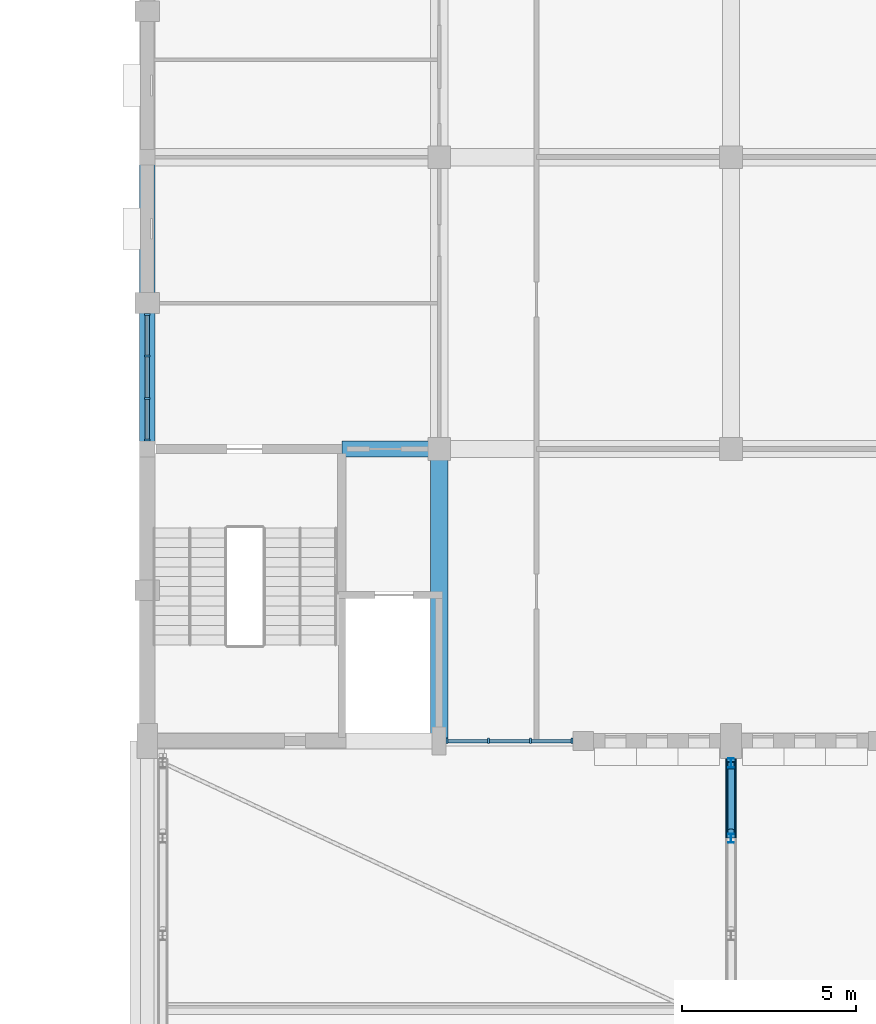
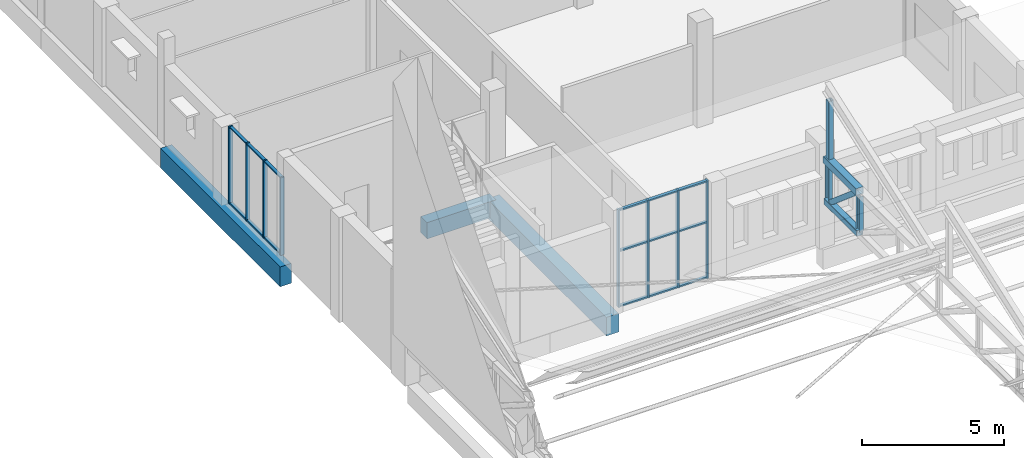
# One storey, part 18 of 101: 29 members, 3 beams, 2 elements without a shape of their own.
"""IFC4 building model written with IfcOpenShell, lengths in metres."""

from ifc_helpers import new_model, si_unit, direction, frame, origin, origin_2d, place, context, subcontext, project, spatial, rectangle, hollow_rectangle, hollow_circle, i_section, extrude, material, material_profile, profile_set, type_object, element, aggregate, save


model = new_model("IFC4")

# Units and contexts
model_context = context("Model", 3, precision=1e-05, world=origin(), true_north=direction((0.0, 1.0)))
body_context = subcontext(model_context, "Body", "Model", "MODEL_VIEW")
ifc_project = project(units=[si_unit("LENGTHUNIT", "METRE"), si_unit("AREAUNIT", "SQUARE_METRE"), si_unit("VOLUMEUNIT", "CUBIC_METRE"), si_unit("PLANEANGLEUNIT", "RADIAN"), si_unit("MASSUNIT", "GRAM", prefix="KILO")], contexts=[model_context])

# Site, building, storey
site_placement = place(None, origin())
site = spatial("IfcSite", under=ifc_project, at=site_placement, CompositionType="ELEMENT")
building_placement = place(site_placement, origin())
building = spatial("IfcBuilding", under=site, at=building_placement, Name="Fescue Hill Polytechnic", CompositionType="ELEMENT")
storey_placement = place(building_placement, frame((0.0, 0.0, 9.0)))
storey = spatial("IfcBuildingStorey", under=building, at=storey_placement, Name="L02", CompositionType="ELEMENT", Elevation=9.0)

# Beams
ifc_material_1 = material(Name="Concrete 35 MPa", Category="concrete")
ifc_material_profile_1 = material_profile(ifc_material_1, rectangle(XDim=0.449951171875, YDim=0.699951171875, at=origin_2d()), Name="RC 450x700")
ifc_profile_set_1 = profile_set([ifc_material_profile_1], Name="Concrete 35 MPa")
beam_type_1 = type_object("IfcBeamType", Name="Beam RC 450x700", PredefinedType="BEAM", material=ifc_profile_set_1)
beam_1_placement = place(storey_placement, frame((5.60009765625, 58.800048828125, -0.64990234375), z_axis=(1.0, 0.0, 0.0), x_axis=(0.0, 1.0, 0.0)))
element("IfcBeam", 1, at=beam_1_placement, inside=storey, type_object=beam_type_1, Name="BM-L02-0013", PredefinedType="BEAM", context=body_context, shape_type="SweptSolid", body=[
    extrude(rectangle(XDim=0.449951171875, YDim=0.699951171875, at=origin_2d()), origin(), (0.0, 0.0, 1.0), 2.789794921875),
])
ifc_material_profile_2 = material_profile(ifc_material_1, rectangle(XDim=0.449951171875, YDim=0.85009765625, at=origin_2d()), Name="RC 450x850")
ifc_profile_set_2 = profile_set([ifc_material_profile_2], Name="Concrete 35 MPa")
beam_type_2 = type_object("IfcBeamType", Name="Beam RC 450x850", PredefinedType="BEAM", material=ifc_profile_set_2)
beam_2_placement = place(storey_placement, frame((0.0, 58.800048828125, -0.72509765625), z_axis=(0.0, 1.0, 0.0), x_axis=(-1.0, 0.0, 0.0)))
element("IfcBeam", 2, at=beam_2_placement, inside=storey, type_object=beam_type_2, Name="BM-L02-0002", PredefinedType="BEAM", context=body_context, shape_type="SweptSolid", body=[
    extrude(rectangle(XDim=0.449951171875, YDim=0.85009765625, at=origin_2d()), origin(), (0.0, 0.0, 1.0), 8.39990234375),
])
ifc_material_profile_3 = material_profile(ifc_material_1, rectangle(XDim=0.5, YDim=0.800048828125, at=origin_2d()), Name="RC 500x800")
ifc_profile_set_3 = profile_set([ifc_material_profile_3], Name="Concrete 35 MPa")
beam_type_3 = type_object("IfcBeamType", Name="Beam RC 500x800", PredefinedType="BEAM", material=ifc_profile_set_3)
beam_3_placement = place(storey_placement, frame((8.39990234375, 50.39990234375, -0.699951171875), z_axis=(0.0, 1.0, 0.0), x_axis=(-1.0, 0.0, 0.0)))
element("IfcBeam", 3, at=beam_3_placement, inside=storey, type_object=beam_type_3, Name="BM-L02-0017", PredefinedType="BEAM", context=body_context, shape_type="SweptSolid", body=[
    extrude(rectangle(XDim=0.5, YDim=0.800048828125, at=origin_2d()), origin(), (0.0, 0.0, 1.0), 8.400146484375),
])

# Members
ifc_material_2 = material(Name="Steel 350W (350 MPa)", Category="steel")
ifc_material_profile_4 = material_profile(ifc_material_2, hollow_rectangle(XDim=0.25390625, YDim=0.25390625, WallThickness=0.0126953125, InnerFilletRadius=0.0126953125, OuterFilletRadius=0.025390625, at=origin_2d()), Name="Hall truss bottom chord HSS 254x254x13")
ifc_profile_set_4 = profile_set([ifc_material_profile_4], Name="Steel 350W (350 MPa)")
member_type_1 = type_object("IfcMemberType", Name="Hall truss bottom chord HSS 254x254x13", PredefinedType="CHORD", material=ifc_profile_set_4)
member_1_placement = place(storey_placement, frame((16.800048828125, 47.60009765625, 2.0), z_axis=(0.0, 1.0, 0.0), x_axis=(-1.0, 0.0, 0.0)))
element("IfcMember", 4, at=member_1_placement, inside=storey, type_object=member_type_1, Name="Truss TR2 bottom chord 12", PredefinedType="CHORD", context=body_context, shape_type="SweptSolid", body=[
    extrude(hollow_rectangle(XDim=0.25390625, YDim=0.25390625, WallThickness=0.0126953125, InnerFilletRadius=0.0126953125, OuterFilletRadius=0.025390625, at=origin_2d()), origin(), (0.0, 0.0, 1.0), 2.2998046875),
])
ifc_material_profile_5 = material_profile(ifc_material_2, hollow_circle(Radius=0.109619140625, WallThickness=0.009521484375, at=origin_2d()), Name="Hall truss diagonal CHS 219x9.5")
ifc_profile_set_5 = profile_set([ifc_material_profile_5], Name="Steel 350W (350 MPa)")
member_type_2 = type_object("IfcMemberType", Name="Hall truss diagonal CHS 219x9.5", PredefinedType="BRACE", material=ifc_profile_set_5)
member_2_placement = place(storey_placement, frame((16.800048828125, 47.800048828125, 3.631103515625), z_axis=(0.0, 0.761443253909, -0.648231572107), x_axis=(-1.0, 0.0, 0.0)))
element("IfcMember", 5, at=member_2_placement, inside=storey, type_object=member_type_2, Name="Truss TR2 diagonal 12", PredefinedType="BRACE", context=body_context, shape_type="SweptSolid", body=[
    extrude(hollow_circle(Radius=0.109619140625, WallThickness=0.009521484375, at=origin_2d()), origin(), (0.0, 0.0, 1.0), 2.3203125),
])
ifc_material_profile_6 = material_profile(ifc_material_2, i_section(OverallWidth=0.14794921875, OverallDepth=0.26611328125, WebThickness=0.007568359375, FlangeThickness=0.012939453125, FilletRadius=0.013916015625, at=origin_2d()), Name="W250x45")
ifc_profile_set_6 = profile_set([ifc_material_profile_6], Name="Steel 350W (350 MPa)")
member_type_3 = type_object("IfcMemberType", Name="Hall truss post W250x45", PredefinedType="POST", material=ifc_profile_set_6)
for number, where, z_axis, x_axis, name in (
    (6, (16.800048828125, 47.60009765625, 2.126953125), (0.0, 0.0, 1.0), (1.0, 0.0, 0.0), "Truss TR2 post 12"),
    (7, (16.800048828125, 49.76708984375, 2.126953125), (0.0, 0.0, 1.0), (1.0, 0.0, 0.0), "Truss TR2 post 13"),
):
    element("IfcMember", number, at=place(storey_placement, frame(where, z_axis=z_axis, x_axis=x_axis)), inside=storey, type_object=member_type_3, Name=name, PredefinedType="POST", context=body_context, shape_type="SweptSolid", body=[
        extrude(i_section(OverallWidth=0.14794921875, OverallDepth=0.26611328125, WebThickness=0.007568359375, FlangeThickness=0.012939453125, FilletRadius=0.013916015625, at=origin_2d()), origin(), (0.0, 0.0, 1.0), 1.504150390625),
    ])
ifc_material_profile_7 = material_profile(ifc_material_2, hollow_rectangle(XDim=0.3046875, YDim=0.3046875, WallThickness=0.0126953125, InnerFilletRadius=0.0126953125, OuterFilletRadius=0.025390625, at=origin_2d()), Name="Hall truss top chord HSS 305x305x13")
ifc_profile_set_7 = profile_set([ifc_material_profile_7], Name="Steel 350W (350 MPa)")
member_type_4 = type_object("IfcMemberType", Name="Hall truss top chord HSS 305x305x13", PredefinedType="CHORD", material=ifc_profile_set_7)
member_3_placement = place(storey_placement, frame((16.800048828125, 47.60009765625, 3.783447265625), z_axis=(0.0, 1.0, 0.0), x_axis=(-1.0, 0.0, 0.0)))
element("IfcMember", 8, at=member_3_placement, inside=storey, type_object=member_type_4, Name="Truss TR2 top chord 12", PredefinedType="CHORD", context=body_context, shape_type="SweptSolid", body=[
    extrude(hollow_rectangle(XDim=0.3046875, YDim=0.3046875, WallThickness=0.0126953125, InnerFilletRadius=0.0126953125, OuterFilletRadius=0.025390625, at=origin_2d()), origin(), (0.0, 0.0, 1.0), 2.2998046875),
])

# Curtain wall, members
ifc_material_3 = material(Name="Glass", Category="glass")
curtain_wall_type = type_object("IfcCurtainWallType", Name="Curtain wall structural glazing", PredefinedType="NOTDEFINED", material=ifc_material_3)
curtain_wall_1_placement = place(storey_placement, origin())
curtain_wall_1 = element("IfcCurtainWall", 9, at=curtain_wall_1_placement, inside=storey, type_object=curtain_wall_type, Name="CW-L02-V4-X1", PredefinedType="NOTDEFINED")
ifc_material_4 = material(Name="Powder-coated aluminium", Category="aluminium")
ifc_material_profile_8 = material_profile(ifc_material_4, rectangle(XDim=0.159912109375, YDim=0.06005859375, at=origin_2d()), Name="Mullion aluminium 60x160")
ifc_profile_set_8 = profile_set([ifc_material_profile_8], Name="Powder-coated aluminium")
member_type_5 = type_object("IfcMemberType", Name="Mullion aluminium 60x160", PredefinedType="MULLION", material=ifc_profile_set_8)
member_4_placement = place(storey_placement, frame((0.0, 62.669921875, 0.0), z_axis=(0.0, 0.0, 1.0), x_axis=(1.0, 0.0, 0.0)))
member_4 = element("IfcMember", 10, at=member_4_placement, type_object=member_type_5, Name="CW122 mullion 1", PredefinedType="MULLION", context=body_context, shape_type="SweptSolid", body=[
    extrude(rectangle(XDim=0.159912109375, YDim=0.06005859375, at=origin_2d()), origin(), (0.0, 0.0, 1.0), 3.330078125),
])
member_5_placement = place(storey_placement, frame((0.0, 61.47509765625, 0.0), z_axis=(0.0, 0.0, 1.0), x_axis=(1.0, 0.0, 0.0)))
member_5 = element("IfcMember", 11, at=member_5_placement, type_object=member_type_5, Name="CW122 mullion 2", PredefinedType="MULLION", context=body_context, shape_type="SweptSolid", body=[
    extrude(rectangle(XDim=0.159912109375, YDim=0.06005859375, at=origin_2d()), origin(), (0.0, 0.0, 1.0), 3.330078125),
])
member_6_placement = place(storey_placement, frame((0.0, 60.25, 0.0), z_axis=(0.0, 0.0, 1.0), x_axis=(1.0, 0.0, 0.0)))
member_6 = element("IfcMember", 12, at=member_6_placement, type_object=member_type_5, Name="CW122 mullion 3", PredefinedType="MULLION", context=body_context, shape_type="SweptSolid", body=[
    extrude(rectangle(XDim=0.159912109375, YDim=0.06005859375, at=origin_2d()), origin(), (0.0, 0.0, 1.0), 3.330078125),
])
member_7_placement = place(storey_placement, frame((0.0, 59.054931640625, 0.0), z_axis=(0.0, 0.0, 1.0), x_axis=(1.0, 0.0, 0.0)))
member_7 = element("IfcMember", 13, at=member_7_placement, type_object=member_type_5, Name="CW122 mullion 4", PredefinedType="MULLION", context=body_context, shape_type="SweptSolid", body=[
    extrude(rectangle(XDim=0.159912109375, YDim=0.06005859375, at=origin_2d()), origin(), (0.0, 0.0, 1.0), 3.330078125),
])

curtain_wall_2_placement = place(storey_placement, origin())
curtain_wall_2 = element("IfcCurtainWall", 14, at=curtain_wall_2_placement, inside=storey, type_object=curtain_wall_type, Name="CW-L02-V4-X4", PredefinedType="NOTDEFINED")
member_8_placement = place(storey_placement, frame((8.6298828125, 50.39990234375, 0.0), z_axis=(0.0, 0.0, 1.0), x_axis=(0.0, 1.0, 0.0)))
member_8 = element("IfcMember", 15, at=member_8_placement, type_object=member_type_5, Name="CW141 mullion 1", PredefinedType="MULLION", context=body_context, shape_type="SweptSolid", body=[
    extrude(rectangle(XDim=0.159912109375, YDim=0.06005859375, at=origin_2d()), origin(), (0.0, 0.0, 1.0), 4.179931640625),
])
member_9_placement = place(storey_placement, frame((9.816650390625, 50.39990234375, 0.0), z_axis=(0.0, 0.0, 1.0), x_axis=(0.0, 1.0, 0.0)))
member_9 = element("IfcMember", 16, at=member_9_placement, type_object=member_type_5, Name="CW141 mullion 2", PredefinedType="MULLION", context=body_context, shape_type="SweptSolid", body=[
    extrude(rectangle(XDim=0.159912109375, YDim=0.06005859375, at=origin_2d()), origin(), (0.0, 0.0, 1.0), 4.179931640625),
])
member_10_placement = place(storey_placement, frame((11.033447265625, 50.39990234375, 0.0), z_axis=(0.0, 0.0, 1.0), x_axis=(0.0, 1.0, 0.0)))
member_10 = element("IfcMember", 17, at=member_10_placement, type_object=member_type_5, Name="CW141 mullion 3", PredefinedType="MULLION", context=body_context, shape_type="SweptSolid", body=[
    extrude(rectangle(XDim=0.159912109375, YDim=0.06005859375, at=origin_2d()), origin(), (0.0, 0.0, 1.0), 4.179931640625),
])
member_11_placement = place(storey_placement, frame((12.219970703125, 50.39990234375, 0.0), z_axis=(0.0, 0.0, 1.0), x_axis=(0.0, 1.0, 0.0)))
member_11 = element("IfcMember", 18, at=member_11_placement, type_object=member_type_5, Name="CW141 mullion 4", PredefinedType="MULLION", context=body_context, shape_type="SweptSolid", body=[
    extrude(rectangle(XDim=0.159912109375, YDim=0.06005859375, at=origin_2d()), origin(), (0.0, 0.0, 1.0), 4.179931640625),
])

# Member
ifc_material_profile_9 = material_profile(ifc_material_2, hollow_rectangle(XDim=0.203125, YDim=0.203125, WallThickness=0.009521484375, InnerFilletRadius=0.009521484375, OuterFilletRadius=0.01904296875, at=origin_2d()), Name="Tooth ridge post HSS 203x203x9.5")
ifc_profile_set_9 = profile_set([ifc_material_profile_9], Name="Steel 350W (350 MPa)")
member_type_6 = type_object("IfcMemberType", Name="Tooth ridge post HSS 203x203x9.5", PredefinedType="POST", material=ifc_profile_set_9)
member_12_placement = place(storey_placement, frame((16.800048828125, 49.699951171875, 3.93603515625), z_axis=(0.0, 0.0, 1.0), x_axis=(1.0, 0.0, 0.0)))
element("IfcMember", 19, at=member_12_placement, inside=storey, type_object=member_type_6, Name="Tooth 4 ridge post on TR2", PredefinedType="POST", context=body_context, shape_type="SweptSolid", body=[
    extrude(hollow_rectangle(XDim=0.203125, YDim=0.203125, WallThickness=0.009521484375, InnerFilletRadius=0.009521484375, OuterFilletRadius=0.01904296875, at=origin_2d()), origin(), (0.0, 0.0, 1.0), 2.499267578125),
])

ifc_material_profile_10 = material_profile(ifc_material_4, rectangle(XDim=0.1201171875, YDim=0.06005859375, at=origin_2d()), Name="Transom aluminium 60x120")
ifc_profile_set_10 = profile_set([ifc_material_profile_10], Name="Powder-coated aluminium")
member_type_7 = type_object("IfcMemberType", Name="Transom aluminium 60x120", PredefinedType="USERDEFINED", material=ifc_profile_set_10)
member_13_placement = place(storey_placement, frame((0.0, 62.639892578125, 0.030029296875), z_axis=(0.0, -1.0, 0.0), x_axis=(1.0, 0.0, 0.0)))
member_13 = element("IfcMember", 20, at=member_13_placement, type_object=member_type_7, Name="CW122 transom 1.1", ObjectType="TRANSOM", PredefinedType="USERDEFINED", context=body_context, shape_type="SweptSolid", body=[
    extrude(rectangle(XDim=0.1201171875, YDim=0.06005859375, at=origin_2d()), origin(), (0.0, 0.0, 1.0), 1.135009765625),
])

member_14_placement = place(storey_placement, frame((0.0, 62.639892578125, 3.300048828125), z_axis=(0.0, -1.0, 0.0), x_axis=(1.0, 0.0, 0.0)))
member_14 = element("IfcMember", 21, at=member_14_placement, type_object=member_type_7, Name="CW122 transom 1.2", ObjectType="TRANSOM", PredefinedType="USERDEFINED", context=body_context, shape_type="SweptSolid", body=[
    extrude(rectangle(XDim=0.1201171875, YDim=0.06005859375, at=origin_2d()), origin(), (0.0, 0.0, 1.0), 1.135009765625),
])

member_15_placement = place(storey_placement, frame((0.0, 61.445068359375, 0.030029296875), z_axis=(0.0, -1.0, 0.0), x_axis=(1.0, 0.0, 0.0)))
member_15 = element("IfcMember", 22, at=member_15_placement, type_object=member_type_7, Name="CW122 transom 2.1", ObjectType="TRANSOM", PredefinedType="USERDEFINED", context=body_context, shape_type="SweptSolid", body=[
    extrude(rectangle(XDim=0.1201171875, YDim=0.06005859375, at=origin_2d()), origin(), (0.0, 0.0, 1.0), 1.1650390625),
])

member_16_placement = place(storey_placement, frame((0.0, 61.445068359375, 3.300048828125), z_axis=(0.0, -1.0, 0.0), x_axis=(1.0, 0.0, 0.0)))
member_16 = element("IfcMember", 23, at=member_16_placement, type_object=member_type_7, Name="CW122 transom 2.2", ObjectType="TRANSOM", PredefinedType="USERDEFINED", context=body_context, shape_type="SweptSolid", body=[
    extrude(rectangle(XDim=0.1201171875, YDim=0.06005859375, at=origin_2d()), origin(), (0.0, 0.0, 1.0), 1.1650390625),
])

member_17_placement = place(storey_placement, frame((0.0, 60.219970703125, 0.030029296875), z_axis=(0.0, -1.0, 0.0), x_axis=(1.0, 0.0, 0.0)))
member_17 = element("IfcMember", 24, at=member_17_placement, type_object=member_type_7, Name="CW122 transom 3.1", ObjectType="TRANSOM", PredefinedType="USERDEFINED", context=body_context, shape_type="SweptSolid", body=[
    extrude(rectangle(XDim=0.1201171875, YDim=0.06005859375, at=origin_2d()), origin(), (0.0, 0.0, 1.0), 1.135009765625),
])

member_18_placement = place(storey_placement, frame((0.0, 60.219970703125, 3.300048828125), z_axis=(0.0, -1.0, 0.0), x_axis=(1.0, 0.0, 0.0)))
member_18 = element("IfcMember", 25, at=member_18_placement, type_object=member_type_7, Name="CW122 transom 3.2", ObjectType="TRANSOM", PredefinedType="USERDEFINED", context=body_context, shape_type="SweptSolid", body=[
    extrude(rectangle(XDim=0.1201171875, YDim=0.06005859375, at=origin_2d()), origin(), (0.0, 0.0, 1.0), 1.135009765625),
])

aggregate(curtain_wall_1, [member_4, member_5, member_6, member_7, member_13, member_14, member_15, member_16, member_17, member_18])

member_19_placement = place(storey_placement, frame((8.659912109375, 50.39990234375, 0.030029296875), z_axis=(1.0, 0.0, 0.0), x_axis=(0.0, 1.0, 0.0)))
member_19 = element("IfcMember", 26, at=member_19_placement, type_object=member_type_7, Name="CW141 transom 1.1", ObjectType="TRANSOM", PredefinedType="USERDEFINED", context=body_context, shape_type="SweptSolid", body=[
    extrude(rectangle(XDim=0.1201171875, YDim=0.06005859375, at=origin_2d()), origin(), (0.0, 0.0, 1.0), 1.126708984375),
])

member_20_placement = place(storey_placement, frame((8.659912109375, 50.39990234375, 2.39990234375), z_axis=(1.0, 0.0, 0.0), x_axis=(0.0, 1.0, 0.0)))
member_20 = element("IfcMember", 27, at=member_20_placement, type_object=member_type_7, Name="CW141 transom 1.2", ObjectType="TRANSOM", PredefinedType="USERDEFINED", context=body_context, shape_type="SweptSolid", body=[
    extrude(rectangle(XDim=0.1201171875, YDim=0.06005859375, at=origin_2d()), origin(), (0.0, 0.0, 1.0), 1.126708984375),
])

member_21_placement = place(storey_placement, frame((8.659912109375, 50.39990234375, 4.14990234375), z_axis=(1.0, 0.0, 0.0), x_axis=(0.0, 1.0, 0.0)))
member_21 = element("IfcMember", 28, at=member_21_placement, type_object=member_type_7, Name="CW141 transom 1.3", ObjectType="TRANSOM", PredefinedType="USERDEFINED", context=body_context, shape_type="SweptSolid", body=[
    extrude(rectangle(XDim=0.1201171875, YDim=0.06005859375, at=origin_2d()), origin(), (0.0, 0.0, 1.0), 1.126708984375),
])

member_22_placement = place(storey_placement, frame((9.8466796875, 50.39990234375, 0.030029296875), z_axis=(1.0, 0.0, 0.0), x_axis=(0.0, 1.0, 0.0)))
member_22 = element("IfcMember", 29, at=member_22_placement, type_object=member_type_7, Name="CW141 transom 2.1", ObjectType="TRANSOM", PredefinedType="USERDEFINED", context=body_context, shape_type="SweptSolid", body=[
    extrude(rectangle(XDim=0.1201171875, YDim=0.06005859375, at=origin_2d()), origin(), (0.0, 0.0, 1.0), 1.15673828125),
])

member_23_placement = place(storey_placement, frame((9.8466796875, 50.39990234375, 2.39990234375), z_axis=(1.0, 0.0, 0.0), x_axis=(0.0, 1.0, 0.0)))
member_23 = element("IfcMember", 30, at=member_23_placement, type_object=member_type_7, Name="CW141 transom 2.2", ObjectType="TRANSOM", PredefinedType="USERDEFINED", context=body_context, shape_type="SweptSolid", body=[
    extrude(rectangle(XDim=0.1201171875, YDim=0.06005859375, at=origin_2d()), origin(), (0.0, 0.0, 1.0), 1.15673828125),
])

member_24_placement = place(storey_placement, frame((9.8466796875, 50.39990234375, 4.14990234375), z_axis=(1.0, 0.0, 0.0), x_axis=(0.0, 1.0, 0.0)))
member_24 = element("IfcMember", 31, at=member_24_placement, type_object=member_type_7, Name="CW141 transom 2.3", ObjectType="TRANSOM", PredefinedType="USERDEFINED", context=body_context, shape_type="SweptSolid", body=[
    extrude(rectangle(XDim=0.1201171875, YDim=0.06005859375, at=origin_2d()), origin(), (0.0, 0.0, 1.0), 1.15673828125),
])

member_25_placement = place(storey_placement, frame((11.063232421875, 50.39990234375, 0.030029296875), z_axis=(1.0, 0.0, 0.0), x_axis=(0.0, 1.0, 0.0)))
member_25 = element("IfcMember", 32, at=member_25_placement, type_object=member_type_7, Name="CW141 transom 3.1", ObjectType="TRANSOM", PredefinedType="USERDEFINED", context=body_context, shape_type="SweptSolid", body=[
    extrude(rectangle(XDim=0.1201171875, YDim=0.06005859375, at=origin_2d()), origin(), (0.0, 0.0, 1.0), 1.126708984375),
])

member_26_placement = place(storey_placement, frame((11.063232421875, 50.39990234375, 2.39990234375), z_axis=(1.0, 0.0, 0.0), x_axis=(0.0, 1.0, 0.0)))
member_26 = element("IfcMember", 33, at=member_26_placement, type_object=member_type_7, Name="CW141 transom 3.2", ObjectType="TRANSOM", PredefinedType="USERDEFINED", context=body_context, shape_type="SweptSolid", body=[
    extrude(rectangle(XDim=0.1201171875, YDim=0.06005859375, at=origin_2d()), origin(), (0.0, 0.0, 1.0), 1.126708984375),
])

member_27_placement = place(storey_placement, frame((11.063232421875, 50.39990234375, 4.14990234375), z_axis=(1.0, 0.0, 0.0), x_axis=(0.0, 1.0, 0.0)))
member_27 = element("IfcMember", 34, at=member_27_placement, type_object=member_type_7, Name="CW141 transom 3.3", ObjectType="TRANSOM", PredefinedType="USERDEFINED", context=body_context, shape_type="SweptSolid", body=[
    extrude(rectangle(XDim=0.1201171875, YDim=0.06005859375, at=origin_2d()), origin(), (0.0, 0.0, 1.0), 1.126708984375),
])

aggregate(curtain_wall_2, [member_8, member_9, member_10, member_11, member_19, member_20, member_21, member_22, member_23, member_24, member_25, member_26, member_27])

save(model, "model.ifc")
